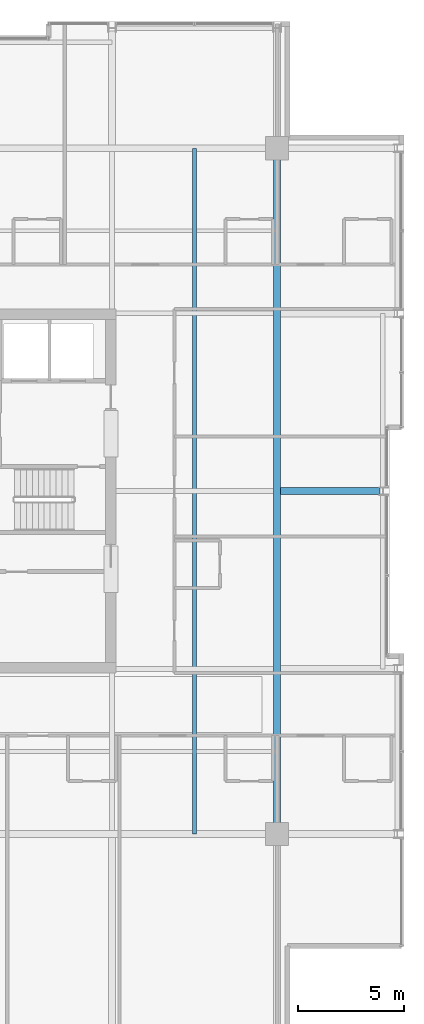
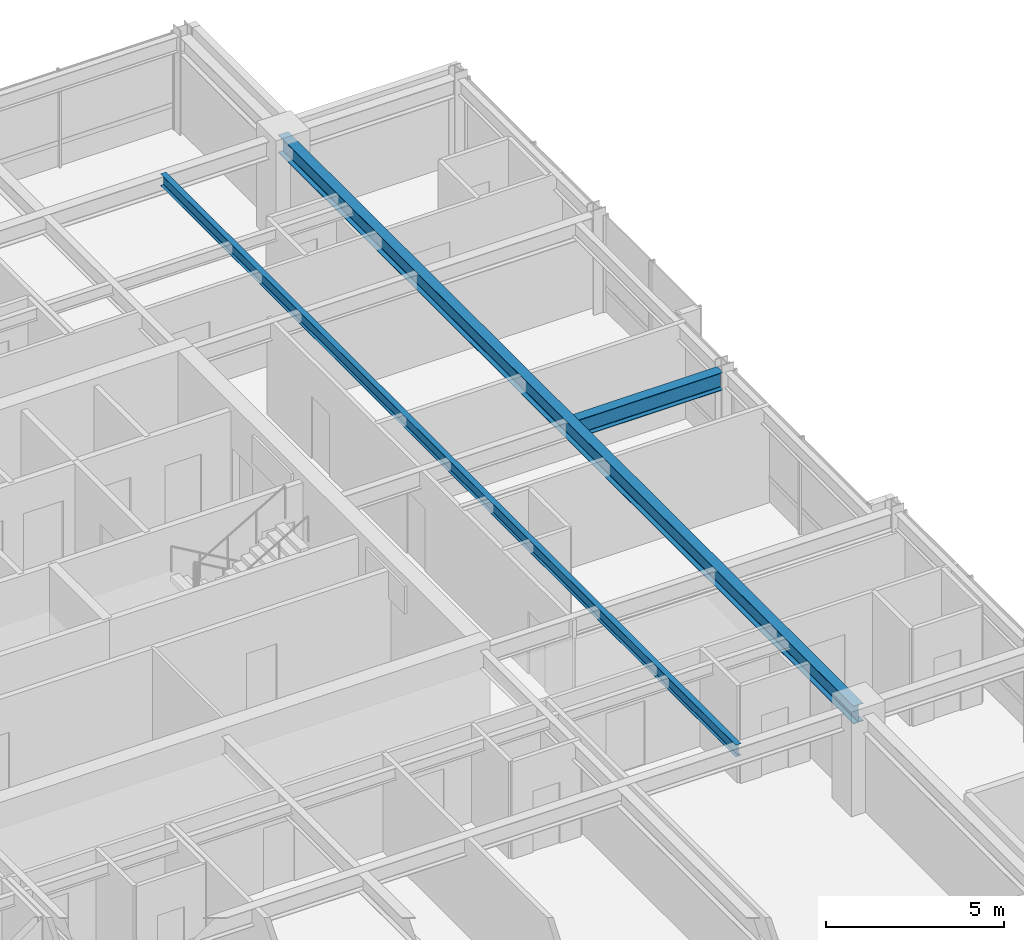
# One storey, part 15 of 31: 3 beams.
"""IFC4 building model written with IfcOpenShell, lengths in metres."""

from ifc_helpers import new_model, si_unit, direction, frame, origin, origin_2d, place, context, subcontext, project, spatial, i_section, extrude, material, material_profile, profile_set, type_object, element, save


model = new_model("IFC4")

# Units and contexts
model_context = context("Model", 3, precision=1e-05, world=origin(), true_north=direction((0.0, 1.0)))
body_context = subcontext(model_context, "Body", "Model", "MODEL_VIEW")
ifc_project = project(units=[si_unit("LENGTHUNIT", "METRE"), si_unit("AREAUNIT", "SQUARE_METRE"), si_unit("VOLUMEUNIT", "CUBIC_METRE"), si_unit("PLANEANGLEUNIT", "RADIAN"), si_unit("MASSUNIT", "GRAM", prefix="KILO")], contexts=[model_context])

# Site, building, storey
site_placement = place(None, origin())
site = spatial("IfcSite", under=ifc_project, at=site_placement, CompositionType="ELEMENT")
building_placement = place(site_placement, origin())
building = spatial("IfcBuilding", under=site, at=building_placement, Name="Drelvath Grand Hotel", CompositionType="ELEMENT")
storey_placement = place(building_placement, frame((0.0, 0.0, 230.300048828125)))
storey = spatial("IfcBuildingStorey", under=building, at=storey_placement, Name="L60", CompositionType="ELEMENT", Elevation=230.300048828125)

# Beams
ifc_material = material(Name="Steel ASTM A992 Gr 50", Category="steel")
ifc_material_profile_1 = material_profile(ifc_material, i_section(OverallWidth=0.177734375, OverallDepth=0.40673828125, WebThickness=0.0078125, FlangeThickness=0.0126953125, FilletRadius=0.014892578125, at=origin_2d()), Name="W16X40")
ifc_profile_set_1 = profile_set([ifc_material_profile_1], Name="Steel ASTM A992 Gr 50")
beam_type_1 = type_object("IfcBeamType", Name="Composite Floor Joist W16X40", PredefinedType="JOIST", material=ifc_profile_set_1)
beam_1_placement = place(storey_placement, frame((12.300048828125, 10.800048828125, 3.136474609375), z_axis=(0.0, 1.0, 0.0), x_axis=(-1.0, 0.0, 0.0)))
element("IfcBeam", 1, at=beam_1_placement, inside=storey, type_object=beam_type_1, Name="L60 Wing Floor Joist J4", PredefinedType="JOIST", context=body_context, shape_type="SweptSolid", body=[
    extrude(i_section(OverallWidth=0.177734375, OverallDepth=0.40673828125, WebThickness=0.0078125, FlangeThickness=0.0126953125, FilletRadius=0.014892578125, at=origin_2d()), origin(), (0.0, 0.0, 1.0), 32.39990234375),
])
ifc_material_profile_2 = material_profile(ifc_material, i_section(OverallWidth=0.323974609375, OverallDepth=0.611083984375, WebThickness=0.0126953125, FlangeThickness=0.01904296875, FilletRadius=0.02197265625, at=origin_2d()), Name="W24X104")
ifc_profile_set_2 = profile_set([ifc_material_profile_2], Name="Steel ASTM A992 Gr 50")
beam_type_2 = type_object("IfcBeamType", Name="Primary Floor Girder W24X104", PredefinedType="BEAM", material=ifc_profile_set_2)
beam_2_placement = place(storey_placement, frame((16.199951171875, 10.800048828125, 3.034423828125), z_axis=(0.0, 1.0, 0.0), x_axis=(-1.0, 0.0, 0.0)))
element("IfcBeam", 2, at=beam_2_placement, inside=storey, type_object=beam_type_2, Name="L60 Mega Ring Girder East", PredefinedType="BEAM", context=body_context, shape_type="SweptSolid", body=[
    extrude(i_section(OverallWidth=0.323974609375, OverallDepth=0.611083984375, WebThickness=0.0126953125, FlangeThickness=0.01904296875, FilletRadius=0.02197265625, at=origin_2d()), origin(), (0.0, 0.0, 1.0), 32.39990234375),
])
beam_3_placement = place(storey_placement, frame((16.362060546875, 27.0, 3.034423828125), z_axis=(1.0, 0.0, 0.0), x_axis=(0.0, 1.0, 0.0)))
element("IfcBeam", 3, at=beam_3_placement, inside=storey, type_object=beam_type_2, Name="L60 East Wing Girder E", PredefinedType="BEAM", context=body_context, shape_type="SweptSolid", body=[
    extrude(i_section(OverallWidth=0.323974609375, OverallDepth=0.611083984375, WebThickness=0.0126953125, FlangeThickness=0.01904296875, FilletRadius=0.02197265625, at=origin_2d()), origin(), (0.0, 0.0, 1.0), 4.697998046875),
])

save(model, "model.ifc")
